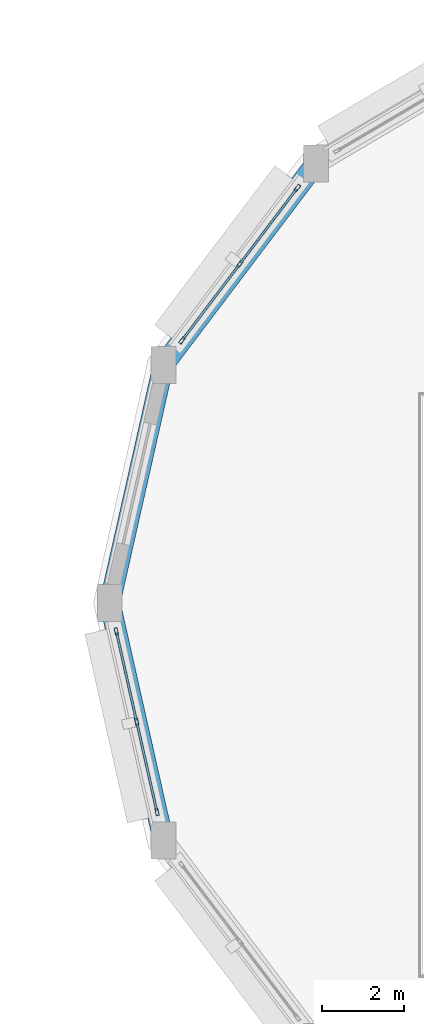
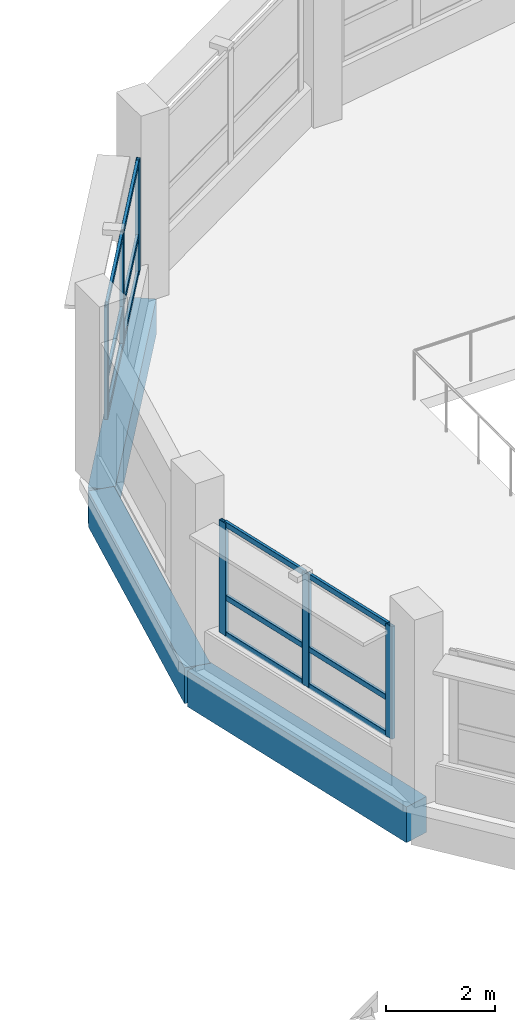
# One storey, part 64 of 128: 18 members, 3 beams, 2 elements without a shape of their own.
"""IFC4 building model written with IfcOpenShell, lengths in metres."""

from ifc_helpers import new_model, si_unit, direction, frame, origin, origin_2d, place, context, subcontext, project, spatial, rectangle, hollow_rectangle, extrude, material, layer, layer_set, material_profile, profile_set, type_object, element, aggregate, save


model = new_model("IFC4")

# Units and contexts
model_context = context("Model", 3, precision=1e-05, world=origin(), true_north=direction((0.0, 1.0)))
body_context = subcontext(model_context, "Body", "Model", "MODEL_VIEW")
ifc_project = project(units=[si_unit("LENGTHUNIT", "METRE"), si_unit("AREAUNIT", "SQUARE_METRE"), si_unit("VOLUMEUNIT", "CUBIC_METRE"), si_unit("PLANEANGLEUNIT", "RADIAN"), si_unit("MASSUNIT", "GRAM", prefix="KILO")], contexts=[model_context])

# Site, building, storey
site_placement = place(None, origin())
site = spatial("IfcSite", under=ifc_project, at=site_placement, CompositionType="ELEMENT")
building_placement = place(site_placement, origin())
building = spatial("IfcBuilding", under=site, at=building_placement, Name="Vespera Passage Community Centre", CompositionType="ELEMENT")
storey_placement = place(building_placement, frame((0.0, 0.0, 4.5)))
storey = spatial("IfcBuildingStorey", under=building, at=storey_placement, Name="L01", CompositionType="ELEMENT", Elevation=4.5)

# Beams
ifc_material_1 = material(Name="Concrete f'c 35 MPa", Category="concrete")
ifc_material_profile_1 = material_profile(ifc_material_1, rectangle(XDim=0.5, YDim=0.800048828125, at=origin_2d()), Name="RC500X800")
ifc_profile_set_1 = profile_set([ifc_material_profile_1], Name="Concrete f'c 35 MPa")
beam_type = type_object("IfcBeamType", Name="BM-SP-500X800E", PredefinedType="SPANDREL", material=ifc_profile_set_1)
beam_placement = place(storey_placement, frame((130.908447265625, 100.17724609375, -0.639892578125), z_axis=(-0.603409203322, -0.797431710773, 0.0), x_axis=(0.797431710773, -0.603409203322, 0.0)))
element("IfcBeam", 1, at=beam_placement, inside=storey, type_object=beam_type, Name="V2 L01 Perimeter Spandrel 7", PredefinedType="SPANDREL", context=body_context, shape_type="SweptSolid", body=[
    extrude(rectangle(XDim=0.5, YDim=0.800048828125, at=origin_2d()), origin(), (0.0, 0.0, 1.0), 6.14306640625),
])
for number, where, z_axis, x_axis, name in (
    (2, (127.20166015625, 95.278564453125, -0.639892578125), (-0.219766204697, -0.9755525692, 0.0), (0.9755525692, -0.219766204697, 0.0), "V2 L01 Perimeter Spandrel 8"),
    (3, (125.89990234375, 89.5, -0.639892578125), (0.219766204697, -0.9755525692, 0.0), (0.9755525692, 0.219766204697, 0.0), "V2 L01 Perimeter Spandrel 9"),
):
    element("IfcBeam", number, at=place(storey_placement, frame(where, z_axis=z_axis, x_axis=x_axis)), inside=storey, type_object=beam_type, Name=name, PredefinedType="SPANDREL", context=body_context, shape_type="SweptSolid", body=[
        extrude(rectangle(XDim=0.5, YDim=0.800048828125, at=origin_2d()), origin(), (0.0, 0.0, 1.0), 5.92333984375),
    ])

# Curtain wall, members
ifc_material_2 = material(Name="Anodized aluminium 6063-T6", Category="aluminium")
ifc_layer_1 = layer(ifc_material_2, 0.159912109375)
ifc_layer_set_1 = layer_set([ifc_layer_1], Name="Anodized aluminium 6063-T6")
curtain_wall_type_1 = type_object("IfcCurtainWallType", Name="CW-96E", PredefinedType="NOTDEFINED", material=ifc_layer_set_1)
curtain_wall_1_placement = place(storey_placement, origin())
curtain_wall_1 = element("IfcCurtainWall", 4, at=curtain_wall_1_placement, inside=storey, type_object=curtain_wall_type_1, Name="Sports Drum Ribbon Curtain Wall L01.7", PredefinedType="NOTDEFINED")
ifc_material_3 = material(Name="Anodized aluminium 6063-T6", Category="aluminium")
ifc_material_profile_2 = material_profile(ifc_material_3, hollow_rectangle(XDim=0.074951171875, YDim=0.179931640625, WallThickness=0.0048828125, InnerFilletRadius=0.00244140625, OuterFilletRadius=0.0048828125, at=origin_2d()), Name="ALU180X75X5")
ifc_profile_set_2 = profile_set([ifc_material_profile_2], Name="Anodized aluminium 6063-T6")
member_type_1 = type_object("IfcMemberType", Name="MB-CWM-180E", PredefinedType="MULLION", material=ifc_profile_set_2)
member_1_placement = place(storey_placement, frame((127.654052734375, 95.876220703125, 0.85009765625), z_axis=(0.0, 0.0, 1.0), x_axis=(-0.797434495654, 0.603405522961, 0.0)))
member_1 = element("IfcMember", 5, at=member_1_placement, type_object=member_type_1, Name="CW-96E mullion 1", PredefinedType="MULLION", context=body_context, shape_type="SweptSolid", body=[
    extrude(hollow_rectangle(XDim=0.074951171875, YDim=0.179931640625, WallThickness=0.0048828125, InnerFilletRadius=0.00244140625, OuterFilletRadius=0.0048828125, at=origin_2d()), origin(), (0.0, 0.0, 1.0), 2.514892578125),
])
member_2_placement = place(storey_placement, frame((129.05517578125, 97.727783203125, 0.85009765625), z_axis=(0.0, 0.0, 1.0), x_axis=(-0.797434495654, 0.603405522961, 0.0)))
member_2 = element("IfcMember", 6, at=member_2_placement, type_object=member_type_1, Name="CW-96E mullion 2", PredefinedType="MULLION", context=body_context, shape_type="SweptSolid", body=[
    extrude(hollow_rectangle(XDim=0.074951171875, YDim=0.179931640625, WallThickness=0.0048828125, InnerFilletRadius=0.00244140625, OuterFilletRadius=0.0048828125, at=origin_2d()), origin(), (0.0, 0.0, 1.0), 2.514892578125),
])
member_3_placement = place(storey_placement, frame((130.4560546875, 99.57958984375, 0.85009765625), z_axis=(0.0, 0.0, 1.0), x_axis=(-0.797434495654, 0.603405522961, 0.0)))
member_3 = element("IfcMember", 7, at=member_3_placement, type_object=member_type_1, Name="CW-96E mullion 3", PredefinedType="MULLION", context=body_context, shape_type="SweptSolid", body=[
    extrude(hollow_rectangle(XDim=0.074951171875, YDim=0.179931640625, WallThickness=0.0048828125, InnerFilletRadius=0.00244140625, OuterFilletRadius=0.0048828125, at=origin_2d()), origin(), (0.0, 0.0, 1.0), 2.514892578125),
])

ifc_material_4 = material(Name="Anodized aluminium 6063-T6", Category="aluminium")
ifc_layer_2 = layer(ifc_material_4, 0.159912109375)
ifc_layer_set_2 = layer_set([ifc_layer_2], Name="Anodized aluminium 6063-T6")
curtain_wall_type_2 = type_object("IfcCurtainWallType", Name="CW-93E", PredefinedType="NOTDEFINED", material=ifc_layer_set_2)
curtain_wall_2_placement = place(storey_placement, origin())
curtain_wall_2 = element("IfcCurtainWall", 8, at=curtain_wall_2_placement, inside=storey, type_object=curtain_wall_type_2, Name="Sports Drum Ribbon Curtain Wall L01.9", PredefinedType="NOTDEFINED")
member_4_placement = place(storey_placement, frame((127.044921875, 84.417724609375, 0.85009765625), z_axis=(0.0, 0.0, 1.0), x_axis=(-0.975553383073, -0.219762591846, 0.0)))
member_4 = element("IfcMember", 9, at=member_4_placement, type_object=member_type_1, Name="CW-93E mullion 1", PredefinedType="MULLION", context=body_context, shape_type="SweptSolid", body=[
    extrude(hollow_rectangle(XDim=0.074951171875, YDim=0.179931640625, WallThickness=0.0048828125, InnerFilletRadius=0.00244140625, OuterFilletRadius=0.0048828125, at=origin_2d()), origin(), (0.0, 0.0, 1.0), 2.514892578125),
])
member_5_placement = place(storey_placement, frame((126.55078125, 86.61083984375, 0.85009765625), z_axis=(0.0, 0.0, 1.0), x_axis=(-0.975553383073, -0.219762591846, 0.0)))
member_5 = element("IfcMember", 10, at=member_5_placement, type_object=member_type_1, Name="CW-93E mullion 2", PredefinedType="MULLION", context=body_context, shape_type="SweptSolid", body=[
    extrude(hollow_rectangle(XDim=0.074951171875, YDim=0.179931640625, WallThickness=0.0048828125, InnerFilletRadius=0.00244140625, OuterFilletRadius=0.0048828125, at=origin_2d()), origin(), (0.0, 0.0, 1.0), 2.514892578125),
])
member_6_placement = place(storey_placement, frame((126.056884765625, 88.8037109375, 0.85009765625), z_axis=(0.0, 0.0, 1.0), x_axis=(-0.975553383073, -0.219762591846, 0.0)))
member_6 = element("IfcMember", 11, at=member_6_placement, type_object=member_type_1, Name="CW-93E mullion 3", PredefinedType="MULLION", context=body_context, shape_type="SweptSolid", body=[
    extrude(hollow_rectangle(XDim=0.074951171875, YDim=0.179931640625, WallThickness=0.0048828125, InnerFilletRadius=0.00244140625, OuterFilletRadius=0.0048828125, at=origin_2d()), origin(), (0.0, 0.0, 1.0), 2.514892578125),
])

# Member
ifc_material_5 = material(Name="Anodized aluminium 6063-T6", Category="aluminium")
ifc_material_profile_3 = material_profile(ifc_material_5, hollow_rectangle(XDim=0.06005859375, YDim=0.1201171875, WallThickness=0.00390625, InnerFilletRadius=0.001953125, OuterFilletRadius=0.00390625, at=origin_2d()), Name="ALU120X60X4")
ifc_profile_set_3 = profile_set([ifc_material_profile_3], Name="Anodized aluminium 6063-T6")
member_type_2 = type_object("IfcMemberType", Name="MB-CWT-120E", PredefinedType="USERDEFINED", material=ifc_profile_set_3)
member_7_placement = place(storey_placement, frame((127.6767578125, 95.90625, 0.8798828125), z_axis=(0.603384780926, 0.797450190386, 0.0), x_axis=(-0.797450190386, 0.603384780926, 0.0)))
member_7 = element("IfcMember", 12, at=member_7_placement, type_object=member_type_2, Name="CW-96E transom 1.1", ObjectType="TRANSOM", PredefinedType="USERDEFINED", context=body_context, shape_type="SweptSolid", body=[
    extrude(hollow_rectangle(XDim=0.06005859375, YDim=0.1201171875, WallThickness=0.00390625, InnerFilletRadius=0.001953125, OuterFilletRadius=0.00390625, at=origin_2d()), origin(), (0.0, 0.0, 1.0), 2.246826171875),
])

member_8_placement = place(storey_placement, frame((127.6767578125, 95.90625, 1.699951171875), z_axis=(0.603384780926, 0.797450190386, 0.0), x_axis=(-0.797450190386, 0.603384780926, 0.0)))
member_8 = element("IfcMember", 13, at=member_8_placement, type_object=member_type_2, Name="CW-96E transom 1.2", ObjectType="TRANSOM", PredefinedType="USERDEFINED", context=body_context, shape_type="SweptSolid", body=[
    extrude(hollow_rectangle(XDim=0.06005859375, YDim=0.1201171875, WallThickness=0.00390625, InnerFilletRadius=0.001953125, OuterFilletRadius=0.00390625, at=origin_2d()), origin(), (0.0, 0.0, 1.0), 2.246826171875),
])

member_9_placement = place(storey_placement, frame((127.6767578125, 95.90625, 3.3349609375), z_axis=(0.603384780926, 0.797450190386, 0.0), x_axis=(-0.797450190386, 0.603384780926, 0.0)))
member_9 = element("IfcMember", 14, at=member_9_placement, type_object=member_type_2, Name="CW-96E transom 1.3", ObjectType="TRANSOM", PredefinedType="USERDEFINED", context=body_context, shape_type="SweptSolid", body=[
    extrude(hollow_rectangle(XDim=0.06005859375, YDim=0.1201171875, WallThickness=0.00390625, InnerFilletRadius=0.001953125, OuterFilletRadius=0.00390625, at=origin_2d()), origin(), (0.0, 0.0, 1.0), 2.246826171875),
])

member_10_placement = place(storey_placement, frame((129.07763671875, 97.7578125, 0.8798828125), z_axis=(0.603453873456, 0.797397907328, 0.0), x_axis=(-0.797397907328, 0.603453873456, 0.0)))
member_10 = element("IfcMember", 15, at=member_10_placement, type_object=member_type_2, Name="CW-96E transom 2.1", ObjectType="TRANSOM", PredefinedType="USERDEFINED", context=body_context, shape_type="SweptSolid", body=[
    extrude(hollow_rectangle(XDim=0.06005859375, YDim=0.1201171875, WallThickness=0.00390625, InnerFilletRadius=0.001953125, OuterFilletRadius=0.00390625, at=origin_2d()), origin(), (0.0, 0.0, 1.0), 2.2470703125),
])

member_11_placement = place(storey_placement, frame((129.07763671875, 97.7578125, 1.699951171875), z_axis=(0.603453873456, 0.797397907328, 0.0), x_axis=(-0.797397907328, 0.603453873456, 0.0)))
member_11 = element("IfcMember", 16, at=member_11_placement, type_object=member_type_2, Name="CW-96E transom 2.2", ObjectType="TRANSOM", PredefinedType="USERDEFINED", context=body_context, shape_type="SweptSolid", body=[
    extrude(hollow_rectangle(XDim=0.06005859375, YDim=0.1201171875, WallThickness=0.00390625, InnerFilletRadius=0.001953125, OuterFilletRadius=0.00390625, at=origin_2d()), origin(), (0.0, 0.0, 1.0), 2.2470703125),
])

member_12_placement = place(storey_placement, frame((129.07763671875, 97.7578125, 3.3349609375), z_axis=(0.603453873456, 0.797397907328, 0.0), x_axis=(-0.797397907328, 0.603453873456, 0.0)))
member_12 = element("IfcMember", 17, at=member_12_placement, type_object=member_type_2, Name="CW-96E transom 2.3", ObjectType="TRANSOM", PredefinedType="USERDEFINED", context=body_context, shape_type="SweptSolid", body=[
    extrude(hollow_rectangle(XDim=0.06005859375, YDim=0.1201171875, WallThickness=0.00390625, InnerFilletRadius=0.001953125, OuterFilletRadius=0.00390625, at=origin_2d()), origin(), (0.0, 0.0, 1.0), 2.2470703125),
])

aggregate(curtain_wall_1, [member_1, member_2, member_3, member_7, member_8, member_9, member_10, member_11, member_12])

member_13_placement = place(storey_placement, frame((127.03662109375, 84.454345703125, 0.8798828125), z_axis=(-0.219760819775, 0.975553782265, 0.0), x_axis=(-0.975553782265, -0.219760819775, 0.0)))
member_13 = element("IfcMember", 18, at=member_13_placement, type_object=member_type_2, Name="CW-93E transom 1.1", ObjectType="TRANSOM", PredefinedType="USERDEFINED", context=body_context, shape_type="SweptSolid", body=[
    extrude(hollow_rectangle(XDim=0.06005859375, YDim=0.1201171875, WallThickness=0.00390625, InnerFilletRadius=0.001953125, OuterFilletRadius=0.00390625, at=origin_2d()), origin(), (0.0, 0.0, 1.0), 2.173095703125),
])

member_14_placement = place(storey_placement, frame((127.03662109375, 84.454345703125, 1.699951171875), z_axis=(-0.219760819775, 0.975553782265, 0.0), x_axis=(-0.975553782265, -0.219760819775, 0.0)))
member_14 = element("IfcMember", 19, at=member_14_placement, type_object=member_type_2, Name="CW-93E transom 1.2", ObjectType="TRANSOM", PredefinedType="USERDEFINED", context=body_context, shape_type="SweptSolid", body=[
    extrude(hollow_rectangle(XDim=0.06005859375, YDim=0.1201171875, WallThickness=0.00390625, InnerFilletRadius=0.001953125, OuterFilletRadius=0.00390625, at=origin_2d()), origin(), (0.0, 0.0, 1.0), 2.173095703125),
])

member_15_placement = place(storey_placement, frame((127.03662109375, 84.454345703125, 3.3349609375), z_axis=(-0.219760819775, 0.975553782265, 0.0), x_axis=(-0.975553782265, -0.219760819775, 0.0)))
member_15 = element("IfcMember", 20, at=member_15_placement, type_object=member_type_2, Name="CW-93E transom 1.3", ObjectType="TRANSOM", PredefinedType="USERDEFINED", context=body_context, shape_type="SweptSolid", body=[
    extrude(hollow_rectangle(XDim=0.06005859375, YDim=0.1201171875, WallThickness=0.00390625, InnerFilletRadius=0.001953125, OuterFilletRadius=0.00390625, at=origin_2d()), origin(), (0.0, 0.0, 1.0), 2.173095703125),
])

member_16_placement = place(storey_placement, frame((126.542724609375, 86.647216796875, 0.8798828125), z_axis=(-0.219760819775, 0.975553782265, 0.0), x_axis=(-0.975553782265, -0.219760819775, 0.0)))
member_16 = element("IfcMember", 21, at=member_16_placement, type_object=member_type_2, Name="CW-93E transom 2.1", ObjectType="TRANSOM", PredefinedType="USERDEFINED", context=body_context, shape_type="SweptSolid", body=[
    extrude(hollow_rectangle(XDim=0.06005859375, YDim=0.1201171875, WallThickness=0.00390625, InnerFilletRadius=0.001953125, OuterFilletRadius=0.00390625, at=origin_2d()), origin(), (0.0, 0.0, 1.0), 2.173095703125),
])

member_17_placement = place(storey_placement, frame((126.542724609375, 86.647216796875, 1.699951171875), z_axis=(-0.219760819775, 0.975553782265, 0.0), x_axis=(-0.975553782265, -0.219760819775, 0.0)))
member_17 = element("IfcMember", 22, at=member_17_placement, type_object=member_type_2, Name="CW-93E transom 2.2", ObjectType="TRANSOM", PredefinedType="USERDEFINED", context=body_context, shape_type="SweptSolid", body=[
    extrude(hollow_rectangle(XDim=0.06005859375, YDim=0.1201171875, WallThickness=0.00390625, InnerFilletRadius=0.001953125, OuterFilletRadius=0.00390625, at=origin_2d()), origin(), (0.0, 0.0, 1.0), 2.173095703125),
])

member_18_placement = place(storey_placement, frame((126.542724609375, 86.647216796875, 3.3349609375), z_axis=(-0.219760819775, 0.975553782265, 0.0), x_axis=(-0.975553782265, -0.219760819775, 0.0)))
member_18 = element("IfcMember", 23, at=member_18_placement, type_object=member_type_2, Name="CW-93E transom 2.3", ObjectType="TRANSOM", PredefinedType="USERDEFINED", context=body_context, shape_type="SweptSolid", body=[
    extrude(hollow_rectangle(XDim=0.06005859375, YDim=0.1201171875, WallThickness=0.00390625, InnerFilletRadius=0.001953125, OuterFilletRadius=0.00390625, at=origin_2d()), origin(), (0.0, 0.0, 1.0), 2.173095703125),
])

aggregate(curtain_wall_2, [member_4, member_5, member_6, member_13, member_14, member_15, member_16, member_17, member_18])

save(model, "model.ifc")
